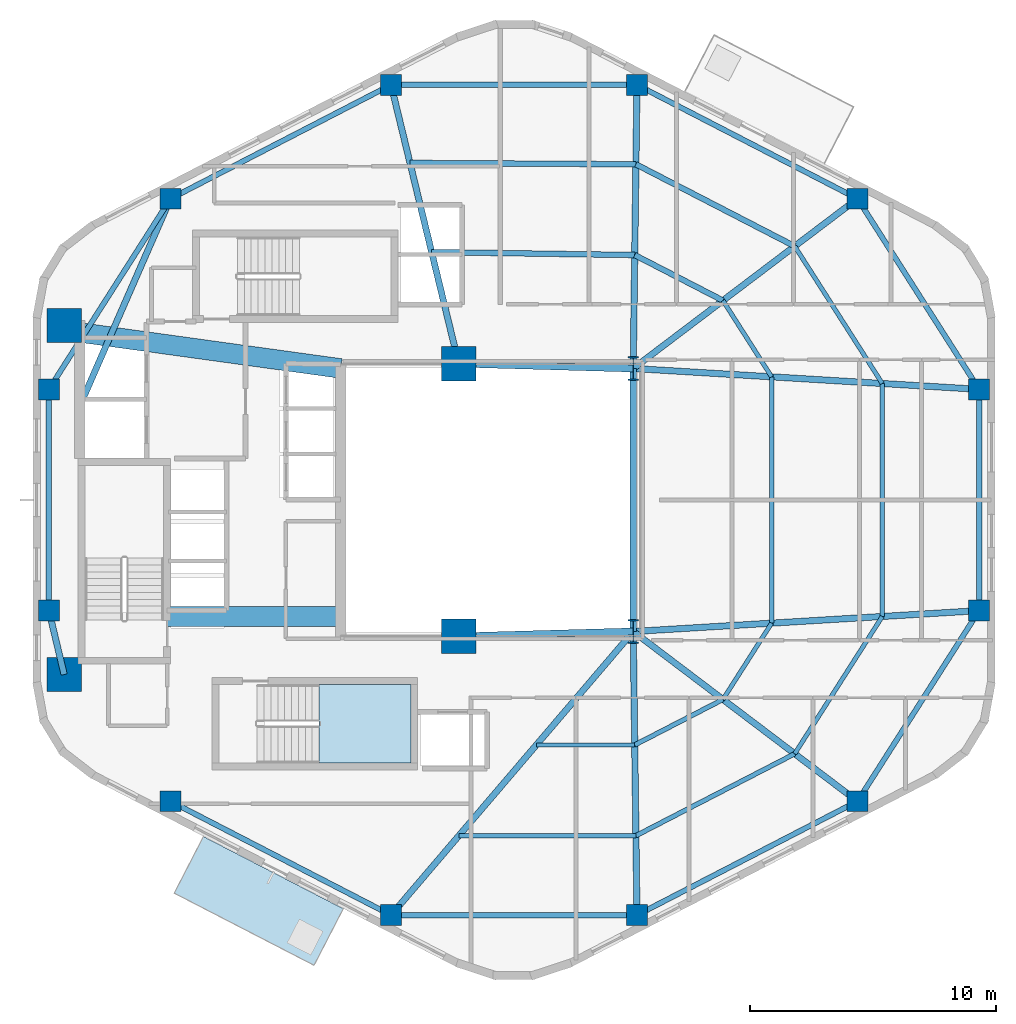
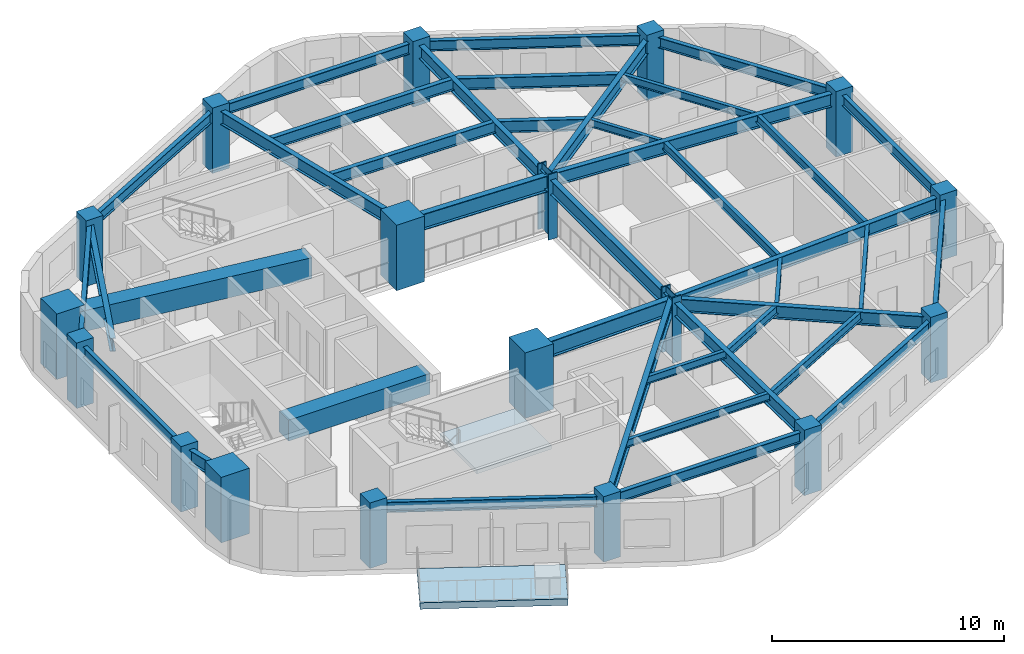
# One storey, part 1 of 8: 40 beams, 18 columns, 2 slabs, 1 element without a shape of its own.
"""IFC4 building model written with IfcOpenShell, lengths in metres."""

from ifc_helpers import new_model, si_unit, direction, frame, origin, origin_2d, place, context, subcontext, project, spatial, polyline, rectangle, i_section, outline, extrude, material, layer, layer_set, material_profile, profile_set, type_object, element, aggregate, save


model = new_model("IFC4")

# Units and contexts
model_context = context("Model", 3, precision=1e-05, world=origin(), true_north=direction((0.0, 1.0)))
body_context = subcontext(model_context, "Body", "Model", "MODEL_VIEW")
ifc_project = project(units=[si_unit("LENGTHUNIT", "METRE"), si_unit("AREAUNIT", "SQUARE_METRE"), si_unit("VOLUMEUNIT", "CUBIC_METRE"), si_unit("PLANEANGLEUNIT", "RADIAN"), si_unit("MASSUNIT", "GRAM", prefix="KILO"), si_unit("THERMODYNAMICTEMPERATUREUNIT", "KELVIN"), si_unit("POWERUNIT", "WATT")], contexts=[model_context])

# Site, building, storey
site_placement = place(None, origin())
site = spatial("IfcSite", under=ifc_project, at=site_placement, CompositionType="ELEMENT")
building_placement = place(site_placement, origin())
building = spatial("IfcBuilding", under=site, at=building_placement, Name="Skarre Station Tower", CompositionType="ELEMENT")
storey_placement = place(building_placement, frame((0.0, 0.0, 187.800048828125)))
storey = spatial("IfcBuildingStorey", under=building, at=storey_placement, Name="L51", CompositionType="ELEMENT", Elevation=187.800048828125)

# Columns
ifc_material_1 = material(Name="Concrete C70/85", Category="concrete")
ifc_material_profile_1 = material_profile(ifc_material_1, rectangle(XDim=1.39990234375, YDim=1.39990234375, at=origin_2d()), Name="Concrete C70/85")
ifc_profile_set_1 = profile_set([ifc_material_profile_1], Name="Concrete C70/85")
column_type_1 = type_object("IfcColumnType", Name="RC Structural Column RC-COL-1400X1400", PredefinedType="COLUMN", material=ifc_profile_set_1)
for number, where, z_axis, x_axis, name in (
    (1, (16.300048828125, 16.89990234375, 0.0), (0.0, 0.0, 1.0), (1.0, 0.0, 0.0), "L51 Core Column CC-SW"),
    (2, (16.300048828125, 31.10009765625, 0.0), (0.0, 0.0, 1.0), (1.0, 0.0, 0.0), "L51 Core Column CC-NW"),
    (3, (32.35009765625, 18.449951171875, 0.0), (0.0, 0.0, 1.0), (1.0, 0.0, 0.0), "L51 Core Column CC-SE"),
    (4, (32.35009765625, 29.550048828125, 0.0), (0.0, 0.0, 1.0), (1.0, 0.0, 0.0), "L51 Core Column CC-NE"),
):
    element("IfcColumn", number, at=place(storey_placement, frame(where, z_axis=z_axis, x_axis=x_axis)), inside=storey, type_object=column_type_1, Name=name, PredefinedType="COLUMN", context=body_context, shape_type="SweptSolid", body=[
        extrude(rectangle(XDim=1.39990234375, YDim=1.39990234375, at=origin_2d()), origin(), (0.0, 0.0, 1.0), 3.449951171875),
    ])
ifc_material_2 = material(Name="Concrete C50/60", Category="concrete")
ifc_material_profile_2 = material_profile(ifc_material_2, rectangle(XDim=0.85009765625, YDim=0.85009765625, at=origin_2d()), Name="Concrete C50/60")
ifc_profile_set_2 = profile_set([ifc_material_profile_2], Name="Concrete C50/60")
column_type_2 = type_object("IfcColumnType", Name="RC Structural Column RC-COL-850X850", PredefinedType="COLUMN", material=ifc_profile_set_2)
for number, where, z_axis, x_axis, name in (
    (5, (48.573974609375, 36.257080078125, 0.0), (0.0, 0.0, 1.0), (1.0, 0.0, 0.0), "L51 Zone 3 Perimeter Column F0C1"),
    (6, (39.60205078125, 40.887939453125, 0.0), (0.0, 0.0, 1.0), (1.0, 0.0, 0.0), "L51 Zone 3 Perimeter Column F0C2"),
    (7, (29.597900390625, 40.887939453125, 0.0), (0.0, 0.0, 1.0), (1.0, 0.0, 0.0), "L51 Zone 3 Perimeter Column F1C1"),
    (8, (20.6259765625, 36.257080078125, 0.0), (0.0, 0.0, 1.0), (1.0, 0.0, 0.0), "L51 Zone 3 Perimeter Column F1C2"),
    (9, (15.677978515625, 28.5009765625, 0.0), (0.0, 0.0, 1.0), (1.0, 0.0, 0.0), "L51 Zone 3 Perimeter Column F2C1"),
    (10, (15.677978515625, 19.4990234375, 0.0), (0.0, 0.0, 1.0), (1.0, 0.0, 0.0), "L51 Zone 3 Perimeter Column F2C2"),
    (11, (20.6259765625, 11.742919921875, 0.0), (0.0, 0.0, 1.0), (1.0, 0.0, 0.0), "L51 Zone 3 Perimeter Column F3C1"),
    (12, (29.597900390625, 7.112060546875, 0.0), (0.0, 0.0, 1.0), (1.0, 0.0, 0.0), "L51 Zone 3 Perimeter Column F3C2"),
    (13, (39.60205078125, 7.112060546875, 0.0), (0.0, 0.0, 1.0), (1.0, 0.0, 0.0), "L51 Zone 3 Perimeter Column F4C1"),
    (14, (48.573974609375, 11.742919921875, 0.0), (0.0, 0.0, 1.0), (1.0, 0.0, 0.0), "L51 Zone 3 Perimeter Column F4C2"),
    (15, (53.52197265625, 19.4990234375, 0.0), (0.0, 0.0, 1.0), (1.0, 0.0, 0.0), "L51 Zone 3 Perimeter Column F5C1"),
    (16, (53.52197265625, 28.5009765625, 0.0), (0.0, 0.0, 1.0), (1.0, 0.0, 0.0), "L51 Zone 3 Perimeter Column F5C2"),
):
    element("IfcColumn", number, at=place(storey_placement, frame(where, z_axis=z_axis, x_axis=x_axis)), inside=storey, type_object=column_type_2, Name=name, PredefinedType="COLUMN", context=body_context, shape_type="SweptSolid", body=[
        extrude(rectangle(XDim=0.85009765625, YDim=0.85009765625, at=origin_2d()), origin(), (0.0, 0.0, 1.0), 3.449951171875),
    ])
ifc_material_3 = material(Name="Steel ASTM A913 Grade 65", Category="steel")
ifc_material_profile_3 = material_profile(ifc_material_3, i_section(OverallWidth=0.430908203125, OverallDepth=0.987060546875, WebThickness=0.033935546875, FlangeThickness=0.06201171875, at=origin_2d()), Name="Steel ASTM A913 Grade 65")
ifc_profile_set_3 = profile_set([ifc_material_profile_3], Name="Steel ASTM A913 Grade 65")
column_type_3 = type_object("IfcColumnType", Name="Steel Column W36X441", PredefinedType="COLUMN", material=ifc_profile_set_3)
for number, where, z_axis, x_axis, name in (
    (17, (39.449951171875, 18.64990234375, 0.0), (0.0, 0.0, 1.0), (1.0, 0.0, 0.0), "L51 Atrium Spine Column AC-SE"),
    (18, (39.449951171875, 29.35009765625, 0.0), (0.0, 0.0, 1.0), (1.0, 0.0, 0.0), "L51 Atrium Spine Column AC-NE"),
):
    element("IfcColumn", number, at=place(storey_placement, frame(where, z_axis=z_axis, x_axis=x_axis)), inside=storey, type_object=column_type_3, Name=name, PredefinedType="COLUMN", context=body_context, shape_type="SweptSolid", body=[
        extrude(i_section(OverallWidth=0.430908203125, OverallDepth=0.987060546875, WebThickness=0.033935546875, FlangeThickness=0.06201171875, at=origin_2d()), origin(), (0.0, 0.0, 1.0), 3.449951171875),
    ])

# Beams
ifc_material_profile_4 = material_profile(ifc_material_1, rectangle(XDim=0.800048828125, YDim=1.10009765625, at=origin_2d()), Name="Concrete C70/85")
ifc_profile_set_4 = profile_set([ifc_material_profile_4], Name="Concrete C70/85")
beam_type_1 = type_object("IfcBeamType", Name="RC Core Coupling Lintel 800x1100", PredefinedType="LINTEL", material=ifc_profile_set_4)
beam_1_placement = place(storey_placement, frame((20.489990234375, 19.260009765625, 2.58984375), z_axis=(1.0, 0.0, 0.0), x_axis=(0.0, 1.0, 0.0)))
element("IfcBeam", 19, at=beam_1_placement, inside=storey, type_object=beam_type_1, Name="L51 South Core Coupling Lintel", PredefinedType="LINTEL", context=body_context, shape_type="SweptSolid", body=[
    extrude(rectangle(XDim=0.800048828125, YDim=1.10009765625, at=origin_2d()), origin(), (0.0, 0.0, 1.0), 7.06005859375),
])
beam_2_placement = place(storey_placement, frame((17.050048828125, 30.800048828125, 2.58984375), z_axis=(0.990599723633, -0.136792498109, 0.0), x_axis=(0.136792498109, 0.990599723633, 0.0)))
element("IfcBeam", 20, at=beam_2_placement, inside=storey, type_object=beam_type_1, Name="L51 North Core Coupling Lintel", PredefinedType="LINTEL", context=body_context, shape_type="SweptSolid", body=[
    extrude(rectangle(XDim=0.800048828125, YDim=1.10009765625, at=origin_2d()), origin(), (0.0, 0.0, 1.0), 10.599609375),
])
ifc_material_4 = material(Name="Steel ASTM A992 Grade 50", Category="steel")
ifc_material_profile_5 = material_profile(ifc_material_4, i_section(OverallWidth=0.256103515625, OverallDepth=0.693115234375, WebThickness=0.013916015625, FlangeThickness=0.02392578125, at=origin_2d()), Name="Steel ASTM A992 Grade 50")
ifc_profile_set_5 = profile_set([ifc_material_profile_5], Name="Steel ASTM A992 Grade 50")
beam_type_2 = type_object("IfcBeamType", Name="Steel Beam W27X114", PredefinedType="BEAM", material=ifc_profile_set_5)
beam_3_placement = place(storey_placement, frame((39.449951171875, 29.35009765625, 2.7939453125), z_axis=(0.797308988117, 0.603571352425, 0.0), x_axis=(-0.603571352425, 0.797308988117, 0.0)))
element("IfcBeam", 21, at=beam_3_placement, inside=storey, type_object=beam_type_2, Name="L51 Radial Floor Girder F0C1", PredefinedType="BEAM", context=body_context, shape_type="SweptSolid", body=[
    extrude(i_section(OverallWidth=0.256103515625, OverallDepth=0.693115234375, WebThickness=0.013916015625, FlangeThickness=0.02392578125, at=origin_2d()), origin(), (0.0, 0.0, 1.0), 11.443603515625),
])
beam_4_placement = place(storey_placement, frame((39.449951171875, 29.35009765625, 2.7939453125), z_axis=(0.013181528887, 0.999913119874, 0.0), x_axis=(-0.999913119874, 0.013181528887, 0.0)))
element("IfcBeam", 22, at=beam_4_placement, inside=storey, type_object=beam_type_2, Name="L51 Radial Floor Girder F0C2", PredefinedType="BEAM", context=body_context, shape_type="SweptSolid", body=[
    extrude(i_section(OverallWidth=0.256103515625, OverallDepth=0.693115234375, WebThickness=0.013916015625, FlangeThickness=0.02392578125, at=origin_2d()), origin(), (0.0, 0.0, 1.0), 11.538818359375),
])
beam_5_placement = place(storey_placement, frame((32.35009765625, 29.550048828125, 2.7939453125), z_axis=(-0.235892880832, 0.971779063765, 0.0), x_axis=(-0.971779063765, -0.235892880832, 0.0)))
element("IfcBeam", 23, at=beam_5_placement, inside=storey, type_object=beam_type_2, Name="L51 Radial Floor Girder F1C1", PredefinedType="BEAM", context=body_context, shape_type="SweptSolid", body=[
    extrude(i_section(OverallWidth=0.256103515625, OverallDepth=0.693115234375, WebThickness=0.013916015625, FlangeThickness=0.02392578125, at=origin_2d()), origin(), (0.0, 0.0, 1.0), 11.667236328125),
])
beam_6_placement = place(storey_placement, frame((17.010009765625, 28.0, 2.7939453125), z_axis=(0.401144174417, 0.916014929644, 0.0), x_axis=(-0.916014929644, 0.401144174417, 0.0)))
element("IfcBeam", 24, at=beam_6_placement, inside=storey, type_object=beam_type_2, Name="L51 Radial Floor Girder F1C2", PredefinedType="BEAM", context=body_context, shape_type="SweptSolid", body=[
    extrude(i_section(OverallWidth=0.256103515625, OverallDepth=0.693115234375, WebThickness=0.013916015625, FlangeThickness=0.02392578125, at=origin_2d()), origin(), (0.0, 0.0, 1.0), 9.01416015625),
])
beam_7_placement = place(storey_placement, frame((16.300048828125, 16.89990234375, 2.7939453125), z_axis=(-0.232764815072, 0.972533053867, 0.0), x_axis=(-0.972533053867, -0.232764815072, 0.0)))
element("IfcBeam", 25, at=beam_7_placement, inside=storey, type_object=beam_type_2, Name="L51 Radial Floor Girder F2C2", PredefinedType="BEAM", context=body_context, shape_type="SweptSolid", body=[
    extrude(i_section(OverallWidth=0.256103515625, OverallDepth=0.693115234375, WebThickness=0.013916015625, FlangeThickness=0.02392578125, at=origin_2d()), origin(), (0.0, 0.0, 1.0), 2.672607421875),
])
beam_8_placement = place(storey_placement, frame((39.449951171875, 18.64990234375, 2.7939453125), z_axis=(-0.649364312169, -0.760477475065, 0.0), x_axis=(0.760477475065, -0.649364312169, 0.0)))
element("IfcBeam", 26, at=beam_8_placement, inside=storey, type_object=beam_type_2, Name="L51 Radial Floor Girder F3C2", PredefinedType="BEAM", context=body_context, shape_type="SweptSolid", body=[
    extrude(i_section(OverallWidth=0.256103515625, OverallDepth=0.693115234375, WebThickness=0.013916015625, FlangeThickness=0.02392578125, at=origin_2d()), origin(), (0.0, 0.0, 1.0), 15.171875),
])
beam_9_placement = place(storey_placement, frame((39.449951171875, 18.64990234375, 2.7939453125), z_axis=(0.013181528887, -0.999913119874, 0.0), x_axis=(0.999913119874, 0.013181528887, 0.0)))
element("IfcBeam", 27, at=beam_9_placement, inside=storey, type_object=beam_type_2, Name="L51 Radial Floor Girder F4C1", PredefinedType="BEAM", context=body_context, shape_type="SweptSolid", body=[
    extrude(i_section(OverallWidth=0.256103515625, OverallDepth=0.693115234375, WebThickness=0.013916015625, FlangeThickness=0.02392578125, at=origin_2d()), origin(), (0.0, 0.0, 1.0), 11.538818359375),
])
beam_10_placement = place(storey_placement, frame((39.449951171875, 18.64990234375, 2.7939453125), z_axis=(0.797308988117, -0.603571352425, 0.0), x_axis=(0.603571352425, 0.797308988117, 0.0)))
element("IfcBeam", 28, at=beam_10_placement, inside=storey, type_object=beam_type_2, Name="L51 Radial Floor Girder F4C2", PredefinedType="BEAM", context=body_context, shape_type="SweptSolid", body=[
    extrude(i_section(OverallWidth=0.256103515625, OverallDepth=0.693115234375, WebThickness=0.013916015625, FlangeThickness=0.02392578125, at=origin_2d()), origin(), (0.0, 0.0, 1.0), 11.443603515625),
])
for number, where, z_axis, x_axis, name in (
    (29, (39.449951171875, 18.64990234375, 2.7939453125), (0.998184432941, 0.060231535207, 0.0), (-0.060231535207, 0.998184432941, 0.0), "L51 Radial Floor Girder F5C1"),
    (30, (39.449951171875, 29.35009765625, 2.7939453125), (0.998184432941, -0.060231535207, 0.0), (0.060231535207, 0.998184432941, 0.0), "L51 Radial Floor Girder F5C2"),
):
    element("IfcBeam", number, at=place(storey_placement, frame(where, z_axis=z_axis, x_axis=x_axis)), inside=storey, type_object=beam_type_2, Name=name, PredefinedType="BEAM", context=body_context, shape_type="SweptSolid", body=[
        extrude(i_section(OverallWidth=0.256103515625, OverallDepth=0.693115234375, WebThickness=0.013916015625, FlangeThickness=0.02392578125, at=origin_2d()), origin(), (0.0, 0.0, 1.0), 14.09765625),
    ])
ifc_material_profile_6 = material_profile(ifc_material_4, i_section(OverallWidth=0.26806640625, OverallDepth=0.77001953125, WebThickness=0.01611328125, FlangeThickness=0.02490234375, at=origin_2d()), Name="Steel ASTM A992 Grade 50")
ifc_profile_set_6 = profile_set([ifc_material_profile_6], Name="Steel ASTM A992 Grade 50")
beam_type_3 = type_object("IfcBeamType", Name="Steel Beam W30X132", PredefinedType="BEAM", material=ifc_profile_set_6)
beam_11_placement = place(storey_placement, frame((39.449951171875, 18.64990234375, 2.7548828125), z_axis=(0.0, 1.0, 0.0), x_axis=(-1.0, 0.0, 0.0)))
element("IfcBeam", 31, at=beam_11_placement, inside=storey, type_object=beam_type_3, Name="L51 Atrium East Edge Girder", PredefinedType="BEAM", context=body_context, shape_type="SweptSolid", body=[
    extrude(i_section(OverallWidth=0.26806640625, OverallDepth=0.77001953125, WebThickness=0.01611328125, FlangeThickness=0.02490234375, at=origin_2d()), origin(), (0.0, 0.0, 1.0), 10.7001953125),
])
ifc_material_profile_7 = material_profile(ifc_material_4, i_section(OverallWidth=0.2919921875, OverallDepth=0.85888671875, WebThickness=0.01708984375, FlangeThickness=0.031005859375, at=origin_2d()), Name="Steel ASTM A992 Grade 50")
ifc_profile_set_7 = profile_set([ifc_material_profile_7], Name="Steel ASTM A992 Grade 50")
beam_type_4 = type_object("IfcBeamType", Name="Steel Beam W33X169", PredefinedType="BEAM", material=ifc_profile_set_7)
for number, where, z_axis, x_axis, name in (
    (32, (32.35009765625, 18.449951171875, 2.7109375), (0.999603666405, 0.028151556095, 0.0), (-0.028151556095, 0.999603666405, 0.0), "L51 Atrium South Edge Girder"),
    (33, (32.35009765625, 29.550048828125, 2.7109375), (0.999603666405, -0.028151556095, 0.0), (0.028151556095, 0.999603666405, 0.0), "L51 Atrium North Edge Girder"),
):
    element("IfcBeam", number, at=place(storey_placement, frame(where, z_axis=z_axis, x_axis=x_axis)), inside=storey, type_object=beam_type_4, Name=name, PredefinedType="BEAM", context=body_context, shape_type="SweptSolid", body=[
        extrude(i_section(OverallWidth=0.2919921875, OverallDepth=0.85888671875, WebThickness=0.01708984375, FlangeThickness=0.031005859375, at=origin_2d()), origin(), (0.0, 0.0, 1.0), 7.102783203125),
    ])
ifc_material_profile_8 = material_profile(ifc_material_4, i_section(OverallWidth=0.177978515625, OverallDepth=0.403076171875, WebThickness=0.008056640625, FlangeThickness=0.010986328125, at=origin_2d()), Name="Steel ASTM A992 Grade 50")
ifc_profile_set_8 = profile_set([ifc_material_profile_8], Name="Steel ASTM A992 Grade 50")
beam_type_5 = type_object("IfcBeamType", Name="Steel Joist W16X36", PredefinedType="JOIST", material=ifc_profile_set_8)
beam_12_placement = place(storey_placement, frame((35.509033203125, 14.034912109375, 2.93798828125), z_axis=(1.0, 0.0, 0.0), x_axis=(0.0, 1.0, 0.0)))
element("IfcBeam", 34, at=beam_12_placement, inside=storey, type_object=beam_type_5, Name="L51 Auxiliary Composite Joist 7", PredefinedType="JOIST", context=body_context, shape_type="SweptSolid", body=[
    extrude(i_section(OverallWidth=0.177978515625, OverallDepth=0.403076171875, WebThickness=0.008056640625, FlangeThickness=0.010986328125, at=origin_2d()), origin(), (0.0, 0.0, 1.0), 4.001953125),
])
beam_13_placement = place(storey_placement, frame((32.35693359375, 10.343017578125, 2.93798828125), z_axis=(1.0, 0.0, 0.0), x_axis=(0.0, 1.0, 0.0)))
element("IfcBeam", 35, at=beam_13_placement, inside=storey, type_object=beam_type_5, Name="L51 Auxiliary Composite Joist 8", PredefinedType="JOIST", context=body_context, shape_type="SweptSolid", body=[
    extrude(i_section(OverallWidth=0.177978515625, OverallDepth=0.403076171875, WebThickness=0.008056640625, FlangeThickness=0.010986328125, at=origin_2d()), origin(), (0.0, 0.0, 1.0), 7.2021484375),
])
beam_14_placement = place(storey_placement, frame((43.10009765625, 15.886962890625, 2.93798828125), z_axis=(0.537716516977, 0.843125700812, 0.0), x_axis=(-0.843125700812, 0.537716516977, 0.0)))
element("IfcBeam", 36, at=beam_14_placement, inside=storey, type_object=beam_type_5, Name="L51 Auxiliary Composite Joist 11", PredefinedType="JOIST", context=body_context, shape_type="SweptSolid", body=[
    extrude(i_section(OverallWidth=0.177978515625, OverallDepth=0.403076171875, WebThickness=0.008056640625, FlangeThickness=0.010986328125, at=origin_2d()), origin(), (0.0, 0.0, 1.0), 3.680419921875),
])
beam_15_placement = place(storey_placement, frame((46.01904296875, 13.677001953125, 2.93798828125), z_axis=(0.537900605588, 0.843008267165, 0.0), x_axis=(-0.843008267165, 0.537900605588, 0.0)))
element("IfcBeam", 37, at=beam_15_placement, inside=storey, type_object=beam_type_5, Name="L51 Auxiliary Composite Joist 12", PredefinedType="JOIST", context=body_context, shape_type="SweptSolid", body=[
    extrude(i_section(OverallWidth=0.177978515625, OverallDepth=0.403076171875, WebThickness=0.008056640625, FlangeThickness=0.010986328125, at=origin_2d()), origin(), (0.0, 0.0, 1.0), 6.623779296875),
])
beam_16_placement = place(storey_placement, frame((45.0791015625, 29.010009765625, 2.93798828125), z_axis=(-0.537716516977, 0.843125700812, 0.0), x_axis=(-0.843125700812, -0.537716516977, 0.0)))
element("IfcBeam", 38, at=beam_16_placement, inside=storey, type_object=beam_type_5, Name="L51 Auxiliary Composite Joist 15", PredefinedType="JOIST", context=body_context, shape_type="SweptSolid", body=[
    extrude(i_section(OverallWidth=0.177978515625, OverallDepth=0.403076171875, WebThickness=0.008056640625, FlangeThickness=0.010986328125, at=origin_2d()), origin(), (0.0, 0.0, 1.0), 3.680419921875),
])
beam_17_placement = place(storey_placement, frame((49.58203125, 28.739013671875, 2.93798828125), z_axis=(-0.537900605588, 0.843008267165, 0.0), x_axis=(-0.843008267165, -0.537900605588, 0.0)))
element("IfcBeam", 39, at=beam_17_placement, inside=storey, type_object=beam_type_5, Name="L51 Auxiliary Composite Joist 16", PredefinedType="JOIST", context=body_context, shape_type="SweptSolid", body=[
    extrude(i_section(OverallWidth=0.177978515625, OverallDepth=0.403076171875, WebThickness=0.008056640625, FlangeThickness=0.010986328125, at=origin_2d()), origin(), (0.0, 0.0, 1.0), 6.623779296875),
])
ifc_material_profile_9 = material_profile(ifc_material_4, i_section(OverallWidth=0.19091796875, OverallDepth=0.45703125, WebThickness=0.009033203125, FlangeThickness=0.013916015625, at=origin_2d()), Name="Steel ASTM A992 Grade 50")
ifc_profile_set_9 = profile_set([ifc_material_profile_9], Name="Steel ASTM A992 Grade 50")
beam_type_6 = type_object("IfcBeamType", Name="Steel Joist W18X50", PredefinedType="JOIST", material=ifc_profile_set_9)
beam_18_placement = place(storey_placement, frame((39.510986328125, 14.034912109375, 2.911865234375), z_axis=(0.888660390105, 0.458565928803, 0.0), x_axis=(-0.458565928803, 0.888660390105, 0.0)))
element("IfcBeam", 40, at=beam_18_placement, inside=storey, type_object=beam_type_6, Name="L51 Auxiliary Composite Joist 9", PredefinedType="JOIST", context=body_context, shape_type="SweptSolid", body=[
    extrude(i_section(OverallWidth=0.19091796875, OverallDepth=0.45703125, WebThickness=0.009033203125, FlangeThickness=0.013916015625, at=origin_2d()), origin(), (0.0, 0.0, 1.0), 4.038818359375),
])
beam_19_placement = place(storey_placement, frame((39.55908203125, 10.343017578125, 2.911865234375), z_axis=(0.88863125356, 0.458622388459, 0.0), x_axis=(-0.458622388459, 0.88863125356, 0.0)))
element("IfcBeam", 41, at=beam_19_placement, inside=storey, type_object=beam_type_6, Name="L51 Auxiliary Composite Joist 10", PredefinedType="JOIST", context=body_context, shape_type="SweptSolid", body=[
    extrude(i_section(OverallWidth=0.19091796875, OverallDepth=0.45703125, WebThickness=0.009033203125, FlangeThickness=0.013916015625, at=origin_2d()), origin(), (0.0, 0.0, 1.0), 7.26953125),
])
beam_20_placement = place(storey_placement, frame((45.0791015625, 18.989990234375, 2.911865234375), z_axis=(0.0, 1.0, 0.0), x_axis=(-1.0, 0.0, 0.0)))
element("IfcBeam", 42, at=beam_20_placement, inside=storey, type_object=beam_type_6, Name="L51 Auxiliary Composite Joist 13", PredefinedType="JOIST", context=body_context, shape_type="SweptSolid", body=[
    extrude(i_section(OverallWidth=0.19091796875, OverallDepth=0.45703125, WebThickness=0.009033203125, FlangeThickness=0.013916015625, at=origin_2d()), origin(), (0.0, 0.0, 1.0), 10.02001953125),
])
beam_21_placement = place(storey_placement, frame((49.58203125, 19.260986328125, 2.911865234375), z_axis=(0.0, 1.0, 0.0), x_axis=(-1.0, 0.0, 0.0)))
element("IfcBeam", 43, at=beam_21_placement, inside=storey, type_object=beam_type_6, Name="L51 Auxiliary Composite Joist 14", PredefinedType="JOIST", context=body_context, shape_type="SweptSolid", body=[
    extrude(i_section(OverallWidth=0.19091796875, OverallDepth=0.45703125, WebThickness=0.009033203125, FlangeThickness=0.013916015625, at=origin_2d()), origin(), (0.0, 0.0, 1.0), 9.47802734375),
])
ifc_material_profile_10 = material_profile(ifc_material_4, i_section(OverallWidth=0.22802734375, OverallDepth=0.60791015625, WebThickness=0.010986328125, FlangeThickness=0.01708984375, at=origin_2d()), Name="Steel ASTM A992 Grade 50")
ifc_profile_set_10 = profile_set([ifc_material_profile_10], Name="Steel ASTM A992 Grade 50")
beam_type_7 = type_object("IfcBeamType", Name="Steel Joist W24X76", PredefinedType="JOIST", material=ifc_profile_set_10)
beam_22_placement = place(storey_placement, frame((43.10009765625, 32.113037109375, 2.8359375), z_axis=(-0.888660390105, 0.458565928803, 0.0), x_axis=(-0.458565928803, -0.888660390105, 0.0)))
element("IfcBeam", 44, at=beam_22_placement, inside=storey, type_object=beam_type_7, Name="L51 Secondary Floor Joist 1", PredefinedType="JOIST", context=body_context, shape_type="SweptSolid", body=[
    extrude(i_section(OverallWidth=0.22802734375, OverallDepth=0.60791015625, WebThickness=0.010986328125, FlangeThickness=0.01708984375, at=origin_2d()), origin(), (0.0, 0.0, 1.0), 4.038818359375),
])
beam_23_placement = place(storey_placement, frame((46.01904296875, 34.322998046875, 2.8359375), z_axis=(-0.88863125356, 0.458622388459, 0.0), x_axis=(-0.458622388459, -0.88863125356, 0.0)))
element("IfcBeam", 45, at=beam_23_placement, inside=storey, type_object=beam_type_7, Name="L51 Secondary Floor Joist 2", PredefinedType="JOIST", context=body_context, shape_type="SweptSolid", body=[
    extrude(i_section(OverallWidth=0.22802734375, OverallDepth=0.60791015625, WebThickness=0.010986328125, FlangeThickness=0.01708984375, at=origin_2d()), origin(), (0.0, 0.0, 1.0), 7.26953125),
])
beam_24_placement = place(storey_placement, frame((39.510986328125, 33.965087890625, 2.8359375), z_axis=(-0.999894760676, 0.014507500591, 0.0), x_axis=(-0.014507500591, -0.999894760676, 0.0)))
element("IfcBeam", 46, at=beam_24_placement, inside=storey, type_object=beam_type_7, Name="L51 Secondary Floor Joist 3", PredefinedType="JOIST", context=body_context, shape_type="SweptSolid", body=[
    extrude(i_section(OverallWidth=0.22802734375, OverallDepth=0.60791015625, WebThickness=0.010986328125, FlangeThickness=0.01708984375, at=origin_2d()), origin(), (0.0, 0.0, 1.0), 8.262939453125),
])
beam_25_placement = place(storey_placement, frame((39.55908203125, 37.656982421875, 2.8359375), z_axis=(-0.99998149622, 0.006083355807, 0.0), x_axis=(-0.006083355807, -0.99998149622, 0.0)))
element("IfcBeam", 47, at=beam_25_placement, inside=storey, type_object=beam_type_7, Name="L51 Secondary Floor Joist 4", PredefinedType="JOIST", context=body_context, shape_type="SweptSolid", body=[
    extrude(i_section(OverallWidth=0.22802734375, OverallDepth=0.60791015625, WebThickness=0.010986328125, FlangeThickness=0.01708984375, at=origin_2d()), origin(), (0.0, 0.0, 1.0), 9.1904296875),
])
ifc_material_profile_11 = material_profile(ifc_material_4, i_section(OverallWidth=0.214111328125, OverallDepth=0.549072265625, WebThickness=0.014892578125, FlangeThickness=0.02392578125, at=origin_2d()), Name="Steel ASTM A992 Grade 50")
ifc_profile_set_11 = profile_set([ifc_material_profile_11], Name="Steel ASTM A992 Grade 50")
beam_type_8 = type_object("IfcBeamType", Name="Steel Spandrel W21X93", PredefinedType="SPANDREL", material=ifc_profile_set_11)
beam_26_placement = place(storey_placement, frame((48.573974609375, 36.257080078125, 2.865966796875), z_axis=(-0.888613027226, 0.458657702262, 0.0), x_axis=(-0.458657702262, -0.888613027226, 0.0)))
element("IfcBeam", 48, at=beam_26_placement, inside=storey, type_object=beam_type_8, Name="L51 Facet Spandrel Beam 1", PredefinedType="SPANDREL", context=body_context, shape_type="SweptSolid", body=[
    extrude(i_section(OverallWidth=0.214111328125, OverallDepth=0.549072265625, WebThickness=0.014892578125, FlangeThickness=0.02392578125, at=origin_2d()), origin(), (0.0, 0.0, 1.0), 10.096435546875),
])
beam_27_placement = place(storey_placement, frame((39.60205078125, 40.887939453125, 2.865966796875), z_axis=(-1.0, 0.0, 0.0), x_axis=(0.0, -1.0, 0.0)))
element("IfcBeam", 49, at=beam_27_placement, inside=storey, type_object=beam_type_8, Name="L51 Facet Spandrel Beam 2", PredefinedType="SPANDREL", context=body_context, shape_type="SweptSolid", body=[
    extrude(i_section(OverallWidth=0.214111328125, OverallDepth=0.549072265625, WebThickness=0.014892578125, FlangeThickness=0.02392578125, at=origin_2d()), origin(), (0.0, 0.0, 1.0), 10.004150390625),
])
beam_28_placement = place(storey_placement, frame((29.597900390625, 40.887939453125, 2.865966796875), z_axis=(-0.888613027226, -0.458657702262, 0.0), x_axis=(0.458657702262, -0.888613027226, 0.0)))
element("IfcBeam", 50, at=beam_28_placement, inside=storey, type_object=beam_type_8, Name="L51 Facet Spandrel Beam 3", PredefinedType="SPANDREL", context=body_context, shape_type="SweptSolid", body=[
    extrude(i_section(OverallWidth=0.214111328125, OverallDepth=0.549072265625, WebThickness=0.014892578125, FlangeThickness=0.02392578125, at=origin_2d()), origin(), (0.0, 0.0, 1.0), 10.096435546875),
])
beam_29_placement = place(storey_placement, frame((20.6259765625, 36.257080078125, 2.865966796875), z_axis=(-0.537826426158, -0.843055594445, 0.0), x_axis=(0.843055594445, -0.537826426158, 0.0)))
element("IfcBeam", 51, at=beam_29_placement, inside=storey, type_object=beam_type_8, Name="L51 Facet Spandrel Beam 4", PredefinedType="SPANDREL", context=body_context, shape_type="SweptSolid", body=[
    extrude(i_section(OverallWidth=0.214111328125, OverallDepth=0.549072265625, WebThickness=0.014892578125, FlangeThickness=0.02392578125, at=origin_2d()), origin(), (0.0, 0.0, 1.0), 9.199951171875),
])
beam_30_placement = place(storey_placement, frame((15.677978515625, 28.5009765625, 2.865966796875), z_axis=(0.0, -1.0, 0.0), x_axis=(1.0, 0.0, 0.0)))
element("IfcBeam", 52, at=beam_30_placement, inside=storey, type_object=beam_type_8, Name="L51 Facet Spandrel Beam 5", PredefinedType="SPANDREL", context=body_context, shape_type="SweptSolid", body=[
    extrude(i_section(OverallWidth=0.214111328125, OverallDepth=0.549072265625, WebThickness=0.014892578125, FlangeThickness=0.02392578125, at=origin_2d()), origin(), (0.0, 0.0, 1.0), 9.001953125),
])
beam_31_placement = place(storey_placement, frame((20.6259765625, 11.742919921875, 2.865966796875), z_axis=(0.888613027226, -0.458657702262, 0.0), x_axis=(0.458657702262, 0.888613027226, 0.0)))
element("IfcBeam", 53, at=beam_31_placement, inside=storey, type_object=beam_type_8, Name="L51 Facet Spandrel Beam 7", PredefinedType="SPANDREL", context=body_context, shape_type="SweptSolid", body=[
    extrude(i_section(OverallWidth=0.214111328125, OverallDepth=0.549072265625, WebThickness=0.014892578125, FlangeThickness=0.02392578125, at=origin_2d()), origin(), (0.0, 0.0, 1.0), 10.096435546875),
])
beam_32_placement = place(storey_placement, frame((29.597900390625, 7.112060546875, 2.865966796875), z_axis=(1.0, 0.0, 0.0), x_axis=(0.0, 1.0, 0.0)))
element("IfcBeam", 54, at=beam_32_placement, inside=storey, type_object=beam_type_8, Name="L51 Facet Spandrel Beam 8", PredefinedType="SPANDREL", context=body_context, shape_type="SweptSolid", body=[
    extrude(i_section(OverallWidth=0.214111328125, OverallDepth=0.549072265625, WebThickness=0.014892578125, FlangeThickness=0.02392578125, at=origin_2d()), origin(), (0.0, 0.0, 1.0), 10.004150390625),
])
beam_33_placement = place(storey_placement, frame((39.60205078125, 7.112060546875, 2.865966796875), z_axis=(0.888613027226, 0.458657702262, 0.0), x_axis=(-0.458657702262, 0.888613027226, 0.0)))
element("IfcBeam", 55, at=beam_33_placement, inside=storey, type_object=beam_type_8, Name="L51 Facet Spandrel Beam 9", PredefinedType="SPANDREL", context=body_context, shape_type="SweptSolid", body=[
    extrude(i_section(OverallWidth=0.214111328125, OverallDepth=0.549072265625, WebThickness=0.014892578125, FlangeThickness=0.02392578125, at=origin_2d()), origin(), (0.0, 0.0, 1.0), 10.096435546875),
])
beam_34_placement = place(storey_placement, frame((48.573974609375, 11.742919921875, 2.865966796875), z_axis=(0.537826426158, 0.843055594445, 0.0), x_axis=(-0.843055594445, 0.537826426158, 0.0)))
element("IfcBeam", 56, at=beam_34_placement, inside=storey, type_object=beam_type_8, Name="L51 Facet Spandrel Beam 10", PredefinedType="SPANDREL", context=body_context, shape_type="SweptSolid", body=[
    extrude(i_section(OverallWidth=0.214111328125, OverallDepth=0.549072265625, WebThickness=0.014892578125, FlangeThickness=0.02392578125, at=origin_2d()), origin(), (0.0, 0.0, 1.0), 9.199951171875),
])
beam_35_placement = place(storey_placement, frame((53.52197265625, 19.4990234375, 2.865966796875), z_axis=(0.0, 1.0, 0.0), x_axis=(-1.0, 0.0, 0.0)))
element("IfcBeam", 57, at=beam_35_placement, inside=storey, type_object=beam_type_8, Name="L51 Facet Spandrel Beam 11", PredefinedType="SPANDREL", context=body_context, shape_type="SweptSolid", body=[
    extrude(i_section(OverallWidth=0.214111328125, OverallDepth=0.549072265625, WebThickness=0.014892578125, FlangeThickness=0.02392578125, at=origin_2d()), origin(), (0.0, 0.0, 1.0), 9.001953125),
])
beam_36_placement = place(storey_placement, frame((53.52197265625, 28.5009765625, 2.865966796875), z_axis=(-0.537826426158, 0.843055594445, 0.0), x_axis=(-0.843055594445, -0.537826426158, 0.0)))
element("IfcBeam", 58, at=beam_36_placement, inside=storey, type_object=beam_type_8, Name="L51 Facet Spandrel Beam 12", PredefinedType="SPANDREL", context=body_context, shape_type="SweptSolid", body=[
    extrude(i_section(OverallWidth=0.214111328125, OverallDepth=0.549072265625, WebThickness=0.014892578125, FlangeThickness=0.02392578125, at=origin_2d()), origin(), (0.0, 0.0, 1.0), 9.199951171875),
])

# Slab
ifc_material_5 = material(Name="Precast concrete C50/60", Category="concrete")
ifc_layer_1 = layer(ifc_material_5, 0.340087890625, Name="Precast concrete C50/60")
ifc_layer_set_1 = layer_set([ifc_layer_1], Name="Precast concrete C50/60")
slab_type_1 = type_object("IfcSlabType", Name="Planted Tree-Balcony Cantilever Slab 340", PredefinedType="FLOOR", material=ifc_layer_set_1)
slab_1_placement = place(storey_placement, frame((0.0, 0.0, -0.340087890625)))
element("IfcSlab", 59, at=slab_1_placement, inside=storey, type_object=slab_type_1, Name="L51 Planted Tree-Balcony Deck TB-L51-F3", PredefinedType="FLOOR", context=body_context, shape_type="SweptSolid", body=[
    extrude(outline(polyline([(21.966064453125, 10.30908203125), (27.653076171875, 7.373046875), (26.465087890625, 5.072021484375), (20.778076171875, 8.007080078125), (21.966064453125, 10.30908203125)])), origin(), (0.0, 0.0, 1.0), 0.340087890625),
])

# Stair, slab
ifc_material_6 = material(Name="Concrete C40/50", Category="concrete")
stair_type = type_object("IfcStairType", Name="Reinforced Concrete Exit Stair ST-2", PredefinedType="HALF_TURN_STAIR", material=ifc_material_6)
stair_placement = place(storey_placement, origin())
stair = element("IfcStair", 60, at=stair_placement, inside=storey, type_object=stair_type, Name="L51 Core Exit Stair ST-2", PredefinedType="HALF_TURN_STAIR")
ifc_layer_2 = layer(ifc_material_6, 0.219970703125, Name="Concrete C40/50")
ifc_layer_set_2 = layer_set([ifc_layer_2], Name="Concrete C40/50")
slab_type_2 = type_object("IfcSlabType", Name="Reinforced Concrete Stair & Ramp Landing 220", PredefinedType="LANDING", material=ifc_layer_set_2)
slab_2_placement = place(storey_placement, frame((0.0, 0.0, 1.52490234375)))
slab_2 = element("IfcSlab", 61, at=slab_2_placement, type_object=slab_type_2, Name="ST-2 landing 1", PredefinedType="LANDING", context=body_context, shape_type="SweptSolid", body=[
    extrude(outline(polyline([(26.669921875, 13.300048828125), (30.39990234375, 13.300048828125), (30.39990234375, 16.5), (26.669921875, 16.5), (26.669921875, 13.300048828125)])), origin(), (0.0, 0.0, 1.0), 0.199951171875),
])
aggregate(stair, [slab_2])

save(model, "model.ifc")
